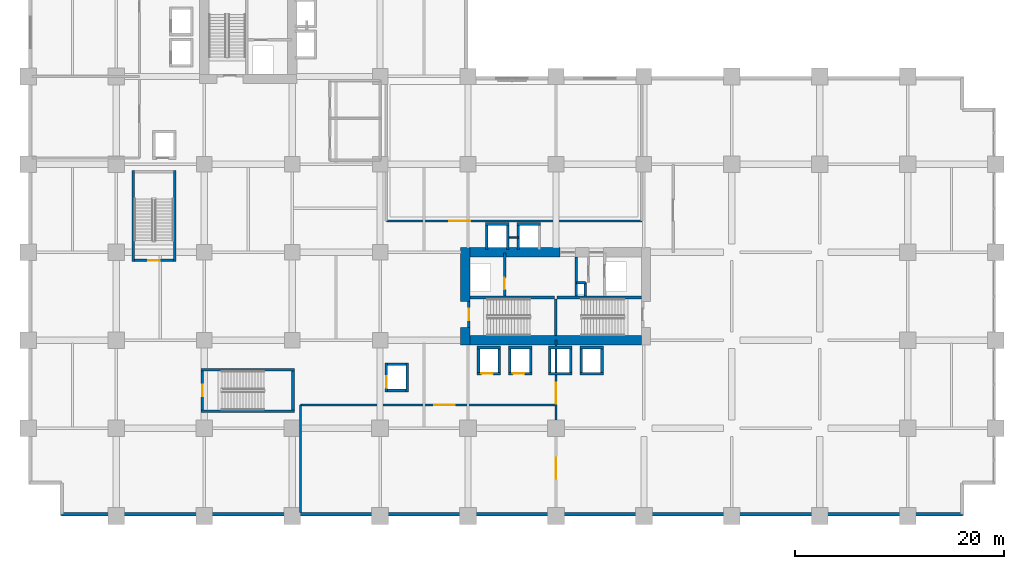
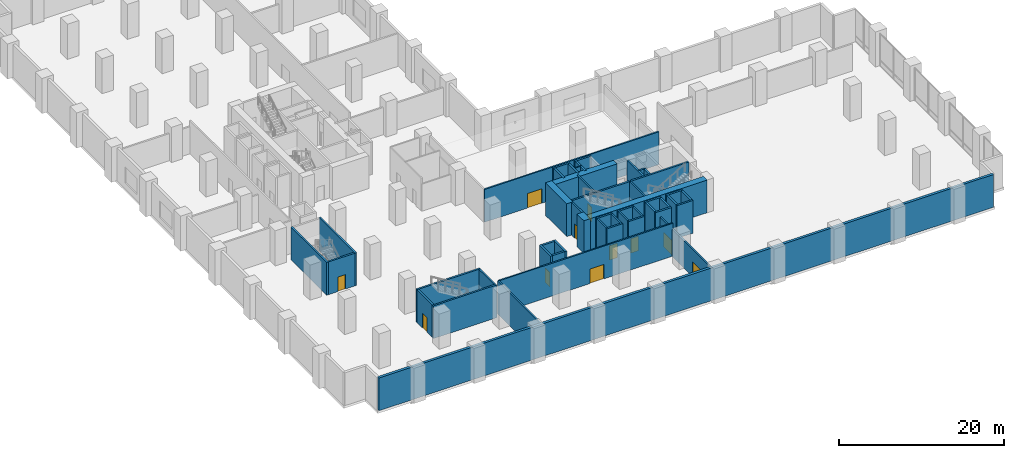
# One storey, part 9 of 19: 50 walls, 11 doors, 11 openings.
"""IFC4 building model written with IfcOpenShell, lengths in metres."""

from ifc_helpers import new_model, si_unit, direction, frame, frame_2d, origin, place, context, subcontext, project, spatial, rectangle, extrude, material, layer, layer_set, type_object, element, fill, save


model = new_model("IFC4")

# Units and contexts
model_context = context("Model", 3, precision=1e-05, world=origin(), true_north=direction((0.0, 1.0)))
body_context = subcontext(model_context, "Body", "Model", "MODEL_VIEW")
ifc_project = project(units=[si_unit("LENGTHUNIT", "METRE"), si_unit("AREAUNIT", "SQUARE_METRE"), si_unit("VOLUMEUNIT", "CUBIC_METRE"), si_unit("PLANEANGLEUNIT", "RADIAN"), si_unit("MASSUNIT", "GRAM", prefix="KILO")], contexts=[model_context])

# Site, building, storey
site_placement = place(None, origin())
site = spatial("IfcSite", under=ifc_project, at=site_placement, CompositionType="ELEMENT")
building_placement = place(site_placement, origin())
building = spatial("IfcBuilding", under=site, at=building_placement, Name="Koriwani Terraces Tower", CompositionType="ELEMENT")
storey_placement = place(building_placement, frame((0.0, 0.0, 15.60009765625)))
storey = spatial("IfcBuildingStorey", under=building, at=storey_placement, Name="L03", CompositionType="ELEMENT", Elevation=15.60009765625)

# Walls
ifc_material_1 = material(Name="Concrete C60/75", Category="concrete")
ifc_layer_1 = layer(ifc_material_1, 0.89990234375, Name="Concrete C60/75")
ifc_layer_set_1 = layer_set([ifc_layer_1], Name="Concrete C60/75")
wall_type_1 = type_object("IfcWallType", Name="WALL_CORE_RC_900", PredefinedType="SHEAR", material=ifc_layer_set_1)
wall_1_placement = place(storey_placement, frame((41.75, 16.35009765625, 0.0), z_axis=(0.0, 0.0, 1.0), x_axis=(0.0, 1.0, 0.0)))
element("IfcWall", 1, at=wall_1_placement, inside=storey, type_object=wall_type_1, Name="L03 East Split Core Shear Wall W1", PredefinedType="SHEAR", context=body_context, shape_type="SweptSolid", body=[
    extrude(rectangle(XDim=1.64990234375, YDim=0.89990234375, at=frame_2d((0.824951171875, 0.0))), origin(), (0.0, 0.0, 1.0), 4.849853515625),
])
wall_2_placement = place(storey_placement, frame((41.75, 20.5, 0.0), z_axis=(0.0, 0.0, 1.0), x_axis=(0.0, 1.0, 0.0)))
element("IfcWall", 2, at=wall_2_placement, inside=storey, type_object=wall_type_1, Name="L03 East Split Core Shear Wall W2", PredefinedType="SHEAR", context=body_context, shape_type="SweptSolid", body=[
    extrude(rectangle(XDim=5.14990234375, YDim=0.89990234375, at=frame_2d((2.574951171875, 0.0))), origin(), (0.0, 0.0, 1.0), 4.849853515625),
])
wall_3_placement = place(storey_placement, frame((42.199951171875, 16.800048828125, 0.0), z_axis=(0.0, 0.0, 1.0), x_axis=(1.0, 0.0, 0.0)))
element("IfcWall", 3, at=wall_3_placement, inside=storey, type_object=wall_type_1, Name="L03 East Split Core Shear Wall S1", PredefinedType="SHEAR", context=body_context, shape_type="SweptSolid", body=[
    extrude(rectangle(XDim=16.35009765625, YDim=0.89990234375, at=frame_2d((8.175048828125, 0.0))), origin(), (0.0, 0.0, 1.0), 4.849853515625),
])
wall_4_placement = place(storey_placement, frame((42.199951171875, 25.199951171875, 0.0), z_axis=(0.0, 0.0, 1.0), x_axis=(1.0, 0.0, 0.0)))
element("IfcWall", 4, at=wall_4_placement, inside=storey, type_object=wall_type_1, Name="L03 East Split Core Shear Wall N1", PredefinedType="SHEAR", context=body_context, shape_type="SweptSolid", body=[
    extrude(rectangle(XDim=8.60009765625, YDim=0.89990234375, at=frame_2d((4.300048828125, 0.0))), origin(), (0.0, 0.0, 1.0), 4.849853515625),
])

# Wall, opening, door
ifc_material_2 = material(Name="Autoclaved Cellular Concrete Blockwork", Category="masonry")
ifc_layer_2 = layer(ifc_material_2, 0.199951171875, Name="Autoclaved Cellular Concrete Blockwork")
ifc_layer_set_2 = layer_set([ifc_layer_2], Name="Autoclaved Cellular Concrete Blockwork")
wall_type_2 = type_object("IfcWallType", Name="WALL_CORRIDOR_200", PredefinedType="PARTITIONING", material=ifc_layer_set_2)
wall_5_placement = place(storey_placement, frame((26.0, 10.60009765625, 0.0), z_axis=(0.0, 0.0, 1.0), x_axis=(1.0, 0.0, 0.0)))
wall_5 = element("IfcWall", 5, at=wall_5_placement, inside=storey, type_object=wall_type_2, Name="L03 Interior Wall WL03-REC-N", PredefinedType="PARTITIONING", context=body_context, shape_type="SweptSolid", body=[
    extrude(rectangle(XDim=24.39990234375, YDim=0.199951171875, at=frame_2d((12.199951171875, 0.0))), origin(), (0.0, 0.0, 1.0), 4.849853515625),
])
opening_1_placement = place(wall_5_placement, frame((12.75, 0.0, 0.0)))
opening_1 = element("IfcOpeningElement", 6, at=opening_1_placement, cuts=wall_5, Name="Opening D-02", PredefinedType="OPENING", context=body_context, shape_type="SweptSolid", body=[
    extrude(rectangle(XDim=2.0, YDim=2.14990234375, at=frame_2d((1.0, 1.074951171875))), frame((0.0, 0.10986328125, 0.0), z_axis=(0.0, -1.0, 0.0), x_axis=(1.0, 0.0, 0.0)), (0.0, 0.0, 1.0), 0.219970703125),
])
ifc_material_3 = material(Name="Anodised Bronze Aluminium", Category="aluminium")
door_type_1 = type_object("IfcDoorType", Name="DOOR_ENTRANCE_DOUBLE_2000X2400", OperationType="NOTDEFINED", PredefinedType="DOOR", material=ifc_material_3)
door_1_placement = place(opening_1_placement, origin())
door_1 = element("IfcDoor", 7, at=door_1_placement, inside=storey, type_object=door_type_1, Name="Hotel Check-In Reception Door", OperationType="SINGLE_SWING_RIGHT", OverallHeight=2.14990234375, OverallWidth=2.0, PredefinedType="DOOR", context=body_context, shape_type="SweptSolid", body=[
    extrude(rectangle(XDim=2.0, YDim=2.14990234375, at=frame_2d((1.0, 1.074951171875))), frame((0.0, 0.02490234375, 0.0), z_axis=(0.0, -1.0, 0.0), x_axis=(1.0, 0.0, 0.0)), (0.0, 0.0, 1.0), 0.050048828125),
])
fill(opening_1, door_1)

wall_6_placement = place(storey_placement, frame((34.199951171875, 28.199951171875, 0.0), z_axis=(0.0, 0.0, 1.0), x_axis=(1.0, 0.0, 0.0)))
wall_6 = element("IfcWall", 8, at=wall_6_placement, inside=storey, type_object=wall_type_2, Name="L03 Interior Wall WL03-PREF-S", PredefinedType="PARTITIONING", context=body_context, shape_type="SweptSolid", body=[
    extrude(rectangle(XDim=24.400146484375, YDim=0.199951171875, at=frame_2d((12.2001953125, 0.0))), origin(), (0.0, 0.0, 1.0), 4.849853515625),
])
opening_2_placement = place(wall_6_placement, frame((6.0, 0.0, 0.0)))
opening_2 = element("IfcOpeningElement", 9, at=opening_2_placement, cuts=wall_6, Name="Opening D-02", PredefinedType="OPENING", context=body_context, shape_type="SweptSolid", body=[
    extrude(rectangle(XDim=2.0, YDim=2.14990234375, at=frame_2d((1.0, 1.074951171875))), frame((0.0, 0.10986328125, 0.0), z_axis=(0.0, -1.0, 0.0), x_axis=(1.0, 0.0, 0.0)), (0.0, 0.0, 1.0), 0.219970703125),
])
door_2_placement = place(opening_2_placement, origin())
door_2 = element("IfcDoor", 10, at=door_2_placement, inside=storey, type_object=door_type_1, Name="Ballroom VIP Pre-Function Salon Door", OperationType="SINGLE_SWING_LEFT", OverallHeight=2.14990234375, OverallWidth=2.0, PredefinedType="DOOR", context=body_context, shape_type="SweptSolid", body=[
    extrude(rectangle(XDim=2.0, YDim=2.14990234375, at=frame_2d((1.0, 1.074951171875))), frame((0.0, 0.02490234375, 0.0), z_axis=(0.0, -1.0, 0.0), x_axis=(1.0, 0.0, 0.0)), (0.0, 0.0, 1.0), 0.050048828125),
])
fill(opening_2, door_2)

# Wall, openings, doors
ifc_layer_3 = layer(ifc_material_2, 0.219970703125, Name="Autoclaved Cellular Concrete Blockwork")
ifc_layer_set_3 = layer_set([ifc_layer_3], Name="Autoclaved Cellular Concrete Blockwork")
wall_type_3 = type_object("IfcWallType", Name="WALL_DEMISING_220", PredefinedType="PARTITIONING", material=ifc_layer_set_3)
wall_7_placement = place(storey_placement, frame((50.39990234375, 0.35009765625, 0.0), z_axis=(0.0, 0.0, 1.0), x_axis=(0.0, 1.0, 0.0)))
wall_7 = element("IfcWall", 11, at=wall_7_placement, inside=storey, type_object=wall_type_3, Name="L03 Interior Wall WL03-BALL-W", PredefinedType="PARTITIONING", context=body_context, shape_type="SweptSolid", body=[
    extrude(rectangle(XDim=16.449951171875, YDim=0.219970703125, at=frame_2d((8.22509765625, 0.0))), origin(), (0.0, 0.0, 1.0), 4.0),
])
opening_3_placement = place(wall_7_placement, frame((3.199951171875, 0.0, 0.0)))
opening_3 = element("IfcOpeningElement", 12, at=opening_3_placement, cuts=wall_7, Name="Opening D-02", PredefinedType="OPENING", context=body_context, shape_type="SweptSolid", body=[
    extrude(rectangle(XDim=2.0, YDim=2.14990234375, at=frame_2d((1.0, 1.074951171875))), frame((0.0, 0.1201171875, 0.0), z_axis=(0.0, -1.0, 0.0), x_axis=(1.0, 0.0, 0.0)), (0.0, 0.0, 1.0), 0.239990234375),
])
opening_4_placement = place(wall_7_placement, frame((10.39990234375, 0.0, 0.0)))
opening_4 = element("IfcOpeningElement", 13, at=opening_4_placement, cuts=wall_7, Name="Opening D-02", PredefinedType="OPENING", context=body_context, shape_type="SweptSolid", body=[
    extrude(rectangle(XDim=2.0, YDim=2.14990234375, at=frame_2d((1.0, 1.074951171875))), frame((0.0, 0.1201171875, 0.0), z_axis=(0.0, -1.0, 0.0), x_axis=(1.0, 0.0, 0.0)), (0.0, 0.0, 1.0), 0.239990234375),
])
door_3_placement = place(opening_3_placement, origin())
door_3 = element("IfcDoor", 14, at=door_3_placement, inside=storey, type_object=door_type_1, Name="Grand Ballroom West Portal 1", OperationType="SINGLE_SWING_LEFT", OverallHeight=2.14990234375, OverallWidth=2.0, PredefinedType="DOOR", context=body_context, shape_type="SweptSolid", body=[
    extrude(rectangle(XDim=2.0, YDim=2.14990234375, at=frame_2d((1.0, 1.074951171875))), frame((0.0, 0.02490234375, 0.0), z_axis=(0.0, -1.0, 0.0), x_axis=(1.0, 0.0, 0.0)), (0.0, 0.0, 1.0), 0.050048828125),
])
fill(opening_3, door_3)
door_4_placement = place(opening_4_placement, origin())
door_4 = element("IfcDoor", 15, at=door_4_placement, inside=storey, type_object=door_type_1, Name="Grand Ballroom West Portal 2", OperationType="SINGLE_SWING_RIGHT", OverallHeight=2.14990234375, OverallWidth=2.0, PredefinedType="DOOR", context=body_context, shape_type="SweptSolid", body=[
    extrude(rectangle(XDim=2.0, YDim=2.14990234375, at=frame_2d((1.0, 1.074951171875))), frame((0.0, 0.02490234375, 0.0), z_axis=(0.0, -1.0, 0.0), x_axis=(1.0, 0.0, 0.0)), (0.0, 0.0, 1.0), 0.050048828125),
])
fill(opening_4, door_4)

# Walls
wall_8_placement = place(storey_placement, frame((26.0, 0.35009765625, 0.0), z_axis=(0.0, 0.0, 1.0), x_axis=(0.0, 1.0, 0.0)))
element("IfcWall", 16, at=wall_8_placement, inside=storey, type_object=wall_type_3, Name="L03 Interior Wall WL03-REC-W", PredefinedType="PARTITIONING", context=body_context, shape_type="SweptSolid", body=[
    extrude(rectangle(XDim=10.25, YDim=0.219970703125, at=frame_2d((5.125, 0.0))), origin(), (0.0, 0.0, 1.0), 4.849853515625),
])
ifc_material_4 = material(Name="Concrete C50/60", Category="concrete")
ifc_layer_4 = layer(ifc_material_4, 0.35009765625, Name="Concrete C50/60")
ifc_layer_set_4 = layer_set([ifc_layer_4], Name="Concrete C50/60")
wall_type_4 = type_object("IfcWallType", Name="WALL_EXT_BRUTALIST_350", PredefinedType="STANDARD", material=ifc_layer_set_4)
wall_9_placement = place(storey_placement, frame((89.22509765625, 0.175048828125, 0.0), z_axis=(0.0, 0.0, 1.0), x_axis=(-1.0, 0.0, 0.0)))
element("IfcWall", 17, at=wall_9_placement, inside=storey, type_object=wall_type_4, Name="L03 Fair-Faced Brutalist Exterior Wall (S)", PredefinedType="STANDARD", context=body_context, shape_type="SweptSolid", body=[
    extrude(rectangle(XDim=86.050048828125, YDim=0.35009765625, at=frame_2d((43.02490234375, 0.0))), origin(), (0.0, 0.0, 1.0), 4.849853515625),
])
ifc_material_5 = material(Name="Concrete C40/50", Category="concrete")
ifc_layer_5 = layer(ifc_material_5, 0.25, Name="Concrete C40/50")
ifc_layer_set_5 = layer_set([ifc_layer_5], Name="Concrete C40/50")
wall_type_5 = type_object("IfcWallType", Name="WALL_SHAFT_RATED_250", PredefinedType="SOLIDWALL", material=ifc_layer_set_5)
for number, where, z_axis, x_axis, name in (
    (18, (42.199951171875, 20.875, 0.0), (0.0, 0.0, 1.0), (1.0, 0.0, 0.0), "L03 East Split Core Web Wall MID1"),
    (19, (50.5, 20.875, 0.0), (0.0, 0.0, 1.0), (1.0, 0.0, 0.0), "L03 East Split Core Web Wall MID2"),
):
    element("IfcWall", number, at=place(storey_placement, frame(where, z_axis=z_axis, x_axis=x_axis)), inside=storey, type_object=wall_type_5, Name=name, PredefinedType="SOLIDWALL", context=body_context, shape_type="SweptSolid", body=[
        extrude(rectangle(XDim=8.050048828125, YDim=0.25, at=frame_2d((4.02490234375, 0.0))), origin(), (0.0, 0.0, 1.0), 4.849853515625),
    ])
wall_10_placement = place(storey_placement, frame((50.375, 17.25, 0.0), z_axis=(0.0, 0.0, 1.0), x_axis=(0.0, 1.0, 0.0)))
element("IfcWall", 20, at=wall_10_placement, inside=storey, type_object=wall_type_5, Name="L03 East Split Core Stair Dividing Wall", PredefinedType="SOLIDWALL", context=body_context, shape_type="SweptSolid", body=[
    extrude(rectangle(XDim=3.5, YDim=0.25, at=frame_2d((1.75, 0.0))), origin(), (0.0, 0.0, 1.0), 4.849853515625),
])
for number, where, z_axis, x_axis, name in (
    (21, (10.02490234375, 24.300048828125, 0.0), (0.0, 0.0, 1.0), (0.0, 1.0, 0.0), "L03 Podium Stair ST-P1 West Bearing Wall"),
    (22, (13.97509765625, 24.300048828125, 0.0), (0.0, 0.0, 1.0), (0.0, 1.0, 0.0), "L03 Podium Stair ST-P1 East Bearing Wall"),
):
    element("IfcWall", number, at=place(storey_placement, frame(where, z_axis=z_axis, x_axis=x_axis)), inside=storey, type_object=wall_type_5, Name=name, PredefinedType="SOLIDWALL", context=body_context, shape_type="SweptSolid", body=[
        extrude(rectangle(XDim=8.699951171875, YDim=0.25, at=frame_2d((4.35009765625, 0.0))), origin(), (0.0, 0.0, 1.0), 4.849853515625),
    ])
for number, where, z_axis, x_axis, name in (
    (23, (16.5, 10.02490234375, 0.0), (0.0, 0.0, 1.0), (1.0, 0.0, 0.0), "L03 Podium Stair ST-P2 South Bearing Wall"),
    (24, (16.5, 13.97509765625, 0.0), (0.0, 0.0, 1.0), (1.0, 0.0, 0.0), "L03 Podium Stair ST-P2 North Bearing Wall"),
):
    element("IfcWall", number, at=place(storey_placement, frame(where, z_axis=z_axis, x_axis=x_axis)), inside=storey, type_object=wall_type_5, Name=name, PredefinedType="SOLIDWALL", context=body_context, shape_type="SweptSolid", body=[
        extrude(rectangle(XDim=8.89990234375, YDim=0.25, at=frame_2d((4.449951171875, 0.0))), origin(), (0.0, 0.0, 1.0), 4.849853515625),
    ])
wall_11_placement = place(storey_placement, frame((25.27490234375, 10.14990234375, 0.0), z_axis=(0.0, 0.0, 1.0), x_axis=(0.0, 1.0, 0.0)))
element("IfcWall", 25, at=wall_11_placement, inside=storey, type_object=wall_type_5, Name="L03 Podium Stair ST-P2 East Bearing Wall", PredefinedType="SOLIDWALL", context=body_context, shape_type="SweptSolid", body=[
    extrude(rectangle(XDim=3.7001953125, YDim=0.25, at=frame_2d((1.85009765625, 0.0))), origin(), (0.0, 0.0, 1.0), 4.849853515625),
])

# Wall, opening, door
wall_12_placement = place(storey_placement, frame((42.074951171875, 18.0, 0.0), z_axis=(0.0, 0.0, 1.0), x_axis=(0.0, 1.0, 0.0)))
wall_12 = element("IfcWall", 26, at=wall_12_placement, inside=storey, type_object=wall_type_5, Name="L03 Interior Wall WIN-CE-L03-STW", PredefinedType="SOLIDWALL", context=body_context, shape_type="SweptSolid", body=[
    extrude(rectangle(XDim=2.5, YDim=0.25, at=frame_2d((1.25, 0.0))), origin(), (0.0, 0.0, 1.0), 4.849853515625),
])
opening_5_placement = place(wall_12_placement, frame((0.699951171875, 0.0, 0.0)))
opening_5 = element("IfcOpeningElement", 27, at=opening_5_placement, cuts=wall_12, Name="Opening D-03", PredefinedType="OPENING", context=body_context, shape_type="SweptSolid", body=[
    extrude(rectangle(XDim=1.10009765625, YDim=2.14990234375, at=frame_2d((0.550048828125, 1.074951171875))), frame((0.0, 0.135009765625, 0.0), z_axis=(0.0, -1.0, 0.0), x_axis=(1.0, 0.0, 0.0)), (0.0, 0.0, 1.0), 0.27001953125),
])
ifc_material_6 = material(Name="Steel ASTM A572 Grade 50", Category="steel")
door_type_2 = type_object("IfcDoorType", Name="DOOR_STAIR_FIRE_1100X2150", OperationType="NOTDEFINED", PredefinedType="DOOR", material=ifc_material_6)
door_5_placement = place(opening_5_placement, origin())
door_5 = element("IfcDoor", 28, at=door_5_placement, inside=storey, type_object=door_type_2, Name="L03 Exit Stair ST-E1 Door", OperationType="SINGLE_SWING_RIGHT", OverallHeight=2.14990234375, OverallWidth=1.10009765625, PredefinedType="DOOR", context=body_context, shape_type="SweptSolid", body=[
    extrude(rectangle(XDim=1.10009765625, YDim=2.14990234375, at=frame_2d((0.550048828125, 1.074951171875))), frame((0.0, 0.02490234375, 0.0), z_axis=(0.0, -1.0, 0.0), x_axis=(1.0, 0.0, 0.0)), (0.0, 0.0, 1.0), 0.050048828125),
])
fill(opening_5, door_5)

wall_13_placement = place(storey_placement, frame((45.5, 21.0, 0.0), z_axis=(0.0, 0.0, 1.0), x_axis=(0.0, 1.0, 0.0)))
wall_13 = element("IfcWall", 29, at=wall_13_placement, inside=storey, type_object=wall_type_5, Name="L03 Interior Wall WIN-CE-L03-FE", PredefinedType="SOLIDWALL", context=body_context, shape_type="SweptSolid", body=[
    extrude(rectangle(XDim=4.14990234375, YDim=0.25, at=frame_2d((2.074951171875, 0.0))), origin(), (0.0, 0.0, 1.0), 4.849853515625),
])
opening_6_placement = place(wall_13_placement, frame((0.64990234375, 0.0, 0.0)))
opening_6 = element("IfcOpeningElement", 30, at=opening_6_placement, cuts=wall_13, Name="Opening LD-01", PredefinedType="OPENING", context=body_context, shape_type="SweptSolid", body=[
    extrude(rectangle(XDim=1.10009765625, YDim=2.14990234375, at=frame_2d((0.550048828125, 1.074951171875))), frame((0.0, 0.135009765625, 0.0), z_axis=(0.0, -1.0, 0.0), x_axis=(1.0, 0.0, 0.0)), (0.0, 0.0, 1.0), 0.27001953125),
])
door_type_3 = type_object("IfcDoorType", Name="DOOR_LIFT_LANDING_1100X2200", OperationType="NOTDEFINED", PredefinedType="DOOR", material=ifc_material_6)
door_6_placement = place(opening_6_placement, origin())
door_6 = element("IfcDoor", 31, at=door_6_placement, inside=storey, type_object=door_type_3, Name="L03 Firefighting Lift FE-02 Landing Door", OperationType="SLIDING_TO_LEFT", OverallHeight=2.14990234375, OverallWidth=1.10009765625, PredefinedType="DOOR", context=body_context, shape_type="SweptSolid", body=[
    extrude(rectangle(XDim=1.10009765625, YDim=2.14990234375, at=frame_2d((0.550048828125, 1.074951171875))), frame((0.0, 0.02490234375, 0.0), z_axis=(0.0, -1.0, 0.0), x_axis=(1.0, 0.0, 0.0)), (0.0, 0.0, 1.0), 0.050048828125),
])
fill(opening_6, door_6)

# Walls
wall_14_placement = place(storey_placement, frame((52.340087890625, 21.0, 0.0), z_axis=(0.0, 0.0, 1.0), x_axis=(0.0, 1.0, 0.0)))
element("IfcWall", 32, at=wall_14_placement, inside=storey, type_object=wall_type_5, Name="L03 Interior Wall WIN-CE-L03-FFE", PredefinedType="SOLIDWALL", context=body_context, shape_type="SweptSolid", body=[
    extrude(rectangle(XDim=3.75, YDim=0.25, at=frame_2d((1.875, 0.0))), origin(), (0.0, 0.0, 1.0), 4.849853515625),
])
wall_15_placement = place(storey_placement, frame((53.199951171875, 21.0, 0.0), z_axis=(0.0, 0.0, 1.0), x_axis=(0.0, 1.0, 0.0)))
element("IfcWall", 33, at=wall_15_placement, inside=storey, type_object=wall_type_5, Name="L03 Interior Wall WIN-CE-L03-RS1", PredefinedType="SOLIDWALL", context=body_context, shape_type="SweptSolid", body=[
    extrude(rectangle(XDim=1.300048828125, YDim=0.25, at=frame_2d((0.64990234375, 0.0))), origin(), (0.0, 0.0, 1.0), 4.849853515625),
])
wall_16_placement = place(storey_placement, frame((52.360107421875, 22.300048828125, 0.0), z_axis=(0.0, 0.0, 1.0), x_axis=(1.0, 0.0, 0.0)))
element("IfcWall", 34, at=wall_16_placement, inside=storey, type_object=wall_type_5, Name="L03 Interior Wall WIN-CE-L03-RS2", PredefinedType="SOLIDWALL", context=body_context, shape_type="SweptSolid", body=[
    extrude(rectangle(XDim=0.83984375, YDim=0.25, at=frame_2d((0.419921875, 0.0))), origin(), (0.0, 0.0, 1.0), 4.849853515625),
])

# Wall, opening, door
wall_17_placement = place(storey_placement, frame((34.199951171875, 11.875, 0.0), z_axis=(0.0, 0.0, 1.0), x_axis=(0.0, 1.0, 0.0)))
wall_17 = element("IfcWall", 35, at=wall_17_placement, inside=storey, type_object=wall_type_5, Name="L03 Interior Wall WIN-LF-PE-P2-L03-F", PredefinedType="SOLIDWALL", context=body_context, shape_type="SweptSolid", body=[
    extrude(rectangle(XDim=2.75, YDim=0.25, at=frame_2d((1.375, 0.0))), origin(), (0.0, 0.0, 1.0), 4.849853515625),
])
opening_7_placement = place(wall_17_placement, frame((0.39990234375, 0.0, 0.0)))
opening_7 = element("IfcOpeningElement", 36, at=opening_7_placement, cuts=wall_17, Name="Opening LD-01", PredefinedType="OPENING", context=body_context, shape_type="SweptSolid", body=[
    extrude(rectangle(XDim=1.10009765625, YDim=2.14990234375, at=frame_2d((0.550048828125, 1.074951171875))), frame((0.0, 0.135009765625, 0.0), z_axis=(0.0, -1.0, 0.0), x_axis=(1.0, 0.0, 0.0)), (0.0, 0.0, 1.0), 0.27001953125),
])
door_7_placement = place(opening_7_placement, origin())
door_7 = element("IfcDoor", 37, at=door_7_placement, inside=storey, type_object=door_type_3, Name="L03 Passenger Lift PE-P2 Landing Door", OperationType="SLIDING_TO_LEFT", OverallHeight=2.14990234375, OverallWidth=1.10009765625, PredefinedType="DOOR", context=body_context, shape_type="SweptSolid", body=[
    extrude(rectangle(XDim=1.10009765625, YDim=2.14990234375, at=frame_2d((0.550048828125, 1.074951171875))), frame((0.0, 0.02490234375, 0.0), z_axis=(0.0, -1.0, 0.0), x_axis=(1.0, 0.0, 0.0)), (0.0, 0.0, 1.0), 0.050048828125),
])
fill(opening_7, door_7)

# Walls
wall_18_placement = place(storey_placement, frame((36.199951171875, 11.875, 0.0), z_axis=(0.0, 0.0, 1.0), x_axis=(0.0, 1.0, 0.0)))
element("IfcWall", 38, at=wall_18_placement, inside=storey, type_object=wall_type_5, Name="L03 Interior Wall WIN-LF-PE-P2-L03-B", PredefinedType="SOLIDWALL", context=body_context, shape_type="SweptSolid", body=[
    extrude(rectangle(XDim=2.75, YDim=0.25, at=frame_2d((1.375, 0.0))), origin(), (0.0, 0.0, 1.0), 4.849853515625),
])
for number, where, z_axis, x_axis, name in (
    (39, (34.324951171875, 12.0, 0.0), (0.0, 0.0, 1.0), (1.0, 0.0, 0.0), "L03 Interior Wall WIN-LF-PE-P2-L03-S"),
    (40, (34.324951171875, 14.5, 0.0), (0.0, 0.0, 1.0), (1.0, 0.0, 0.0), "L03 Interior Wall WIN-LF-PE-P2-L03-N"),
):
    element("IfcWall", number, at=place(storey_placement, frame(where, z_axis=z_axis, x_axis=x_axis)), inside=storey, type_object=wall_type_5, Name=name, PredefinedType="SOLIDWALL", context=body_context, shape_type="SweptSolid", body=[
        extrude(rectangle(XDim=1.75, YDim=0.25, at=frame_2d((0.875, 0.0))), origin(), (0.0, 0.0, 1.0), 4.849853515625),
    ])

# Wall, opening, door
wall_19_placement = place(storey_placement, frame((42.875, 13.60009765625, 0.0), z_axis=(0.0, 0.0, 1.0), x_axis=(1.0, 0.0, 0.0)))
wall_19 = element("IfcWall", 41, at=wall_19_placement, inside=storey, type_object=wall_type_5, Name="L03 Interior Wall WIN-LF-PE-L3-L03-F", PredefinedType="SOLIDWALL", context=body_context, shape_type="SweptSolid", body=[
    extrude(rectangle(XDim=2.25, YDim=0.25, at=frame_2d((1.125, 0.0))), origin(), (0.0, 0.0, 1.0), 4.849853515625),
])
opening_8_placement = place(wall_19_placement, frame((0.39990234375, 0.0, 0.0)))
opening_8 = element("IfcOpeningElement", 42, at=opening_8_placement, cuts=wall_19, Name="Opening LD-01", PredefinedType="OPENING", context=body_context, shape_type="SweptSolid", body=[
    extrude(rectangle(XDim=1.10009765625, YDim=2.14990234375, at=frame_2d((0.550048828125, 1.074951171875))), frame((0.0, 0.135009765625, 0.0), z_axis=(0.0, -1.0, 0.0), x_axis=(1.0, 0.0, 0.0)), (0.0, 0.0, 1.0), 0.27001953125),
])
door_8_placement = place(opening_8_placement, origin())
door_8 = element("IfcDoor", 43, at=door_8_placement, inside=storey, type_object=door_type_3, Name="L03 Passenger Lift PE-L3 Landing Door", OperationType="SLIDING_TO_LEFT", OverallHeight=2.14990234375, OverallWidth=1.10009765625, PredefinedType="DOOR", context=body_context, shape_type="SweptSolid", body=[
    extrude(rectangle(XDim=1.10009765625, YDim=2.14990234375, at=frame_2d((0.550048828125, 1.074951171875))), frame((0.0, 0.02490234375, 0.0), z_axis=(0.0, -1.0, 0.0), x_axis=(1.0, 0.0, 0.0)), (0.0, 0.0, 1.0), 0.050048828125),
])
fill(opening_8, door_8)

# Walls
for number, where, z_axis, x_axis, name in (
    (44, (42.875, 16.10009765625, 0.0), (0.0, 0.0, 1.0), (1.0, 0.0, 0.0), "L03 Interior Wall WIN-LF-PE-L3-L03-B"),
    (45, (43.0, 13.72509765625, 0.0), (0.0, 0.0, 1.0), (0.0, 1.0, 0.0), "L03 Interior Wall WIN-LF-PE-L3-L03-W"),
    (46, (45.0, 13.72509765625, 0.0), (0.0, 0.0, 1.0), (0.0, 1.0, 0.0), "L03 Interior Wall WIN-LF-PE-L3-L03-E"),
):
    element("IfcWall", number, at=place(storey_placement, frame(where, z_axis=z_axis, x_axis=x_axis)), inside=storey, type_object=wall_type_5, Name=name, PredefinedType="SOLIDWALL", context=body_context, shape_type="SweptSolid", body=[
        extrude(rectangle(XDim=2.25, YDim=0.25, at=frame_2d((1.125, 0.0))), origin(), (0.0, 0.0, 1.0), 4.849853515625),
    ])

# Wall, opening, door
wall_20_placement = place(storey_placement, frame((45.875, 13.60009765625, 0.0), z_axis=(0.0, 0.0, 1.0), x_axis=(1.0, 0.0, 0.0)))
wall_20 = element("IfcWall", 47, at=wall_20_placement, inside=storey, type_object=wall_type_5, Name="L03 Interior Wall WIN-LF-PE-L4-L03-F", PredefinedType="SOLIDWALL", context=body_context, shape_type="SweptSolid", body=[
    extrude(rectangle(XDim=2.25, YDim=0.25, at=frame_2d((1.125, 0.0))), origin(), (0.0, 0.0, 1.0), 4.849853515625),
])
opening_9_placement = place(wall_20_placement, frame((0.39990234375, 0.0, 0.0)))
opening_9 = element("IfcOpeningElement", 48, at=opening_9_placement, cuts=wall_20, Name="Opening LD-01", PredefinedType="OPENING", context=body_context, shape_type="SweptSolid", body=[
    extrude(rectangle(XDim=1.10009765625, YDim=2.14990234375, at=frame_2d((0.550048828125, 1.074951171875))), frame((0.0, 0.135009765625, 0.0), z_axis=(0.0, -1.0, 0.0), x_axis=(1.0, 0.0, 0.0)), (0.0, 0.0, 1.0), 0.27001953125),
])
door_9_placement = place(opening_9_placement, origin())
door_9 = element("IfcDoor", 49, at=door_9_placement, inside=storey, type_object=door_type_3, Name="L03 Passenger Lift PE-L4 Landing Door", OperationType="SLIDING_TO_LEFT", OverallHeight=2.14990234375, OverallWidth=1.10009765625, PredefinedType="DOOR", context=body_context, shape_type="SweptSolid", body=[
    extrude(rectangle(XDim=1.10009765625, YDim=2.14990234375, at=frame_2d((0.550048828125, 1.074951171875))), frame((0.0, 0.02490234375, 0.0), z_axis=(0.0, -1.0, 0.0), x_axis=(1.0, 0.0, 0.0)), (0.0, 0.0, 1.0), 0.050048828125),
])
fill(opening_9, door_9)

# Walls
for number, where, z_axis, x_axis, name in (
    (50, (45.875, 16.10009765625, 0.0), (0.0, 0.0, 1.0), (1.0, 0.0, 0.0), "L03 Interior Wall WIN-LF-PE-L4-L03-B"),
    (51, (46.0, 13.72509765625, 0.0), (0.0, 0.0, 1.0), (0.0, 1.0, 0.0), "L03 Interior Wall WIN-LF-PE-L4-L03-W"),
    (52, (48.0, 13.72509765625, 0.0), (0.0, 0.0, 1.0), (0.0, 1.0, 0.0), "L03 Interior Wall WIN-LF-PE-L4-L03-E"),
    (53, (49.675048828125, 13.60009765625, 0.0), (0.0, 0.0, 1.0), (1.0, 0.0, 0.0), "L03 Interior Wall WIN-LF-PE-M3-L03-F"),
    (54, (49.675048828125, 16.10009765625, 0.0), (0.0, 0.0, 1.0), (1.0, 0.0, 0.0), "L03 Interior Wall WIN-LF-PE-M3-L03-B"),
    (55, (49.800048828125, 13.72509765625, 0.0), (0.0, 0.0, 1.0), (0.0, 1.0, 0.0), "L03 Interior Wall WIN-LF-PE-M3-L03-W"),
    (56, (51.800048828125, 13.72509765625, 0.0), (0.0, 0.0, 1.0), (0.0, 1.0, 0.0), "L03 Interior Wall WIN-LF-PE-M3-L03-E"),
    (57, (52.675048828125, 13.60009765625, 0.0), (0.0, 0.0, 1.0), (1.0, 0.0, 0.0), "L03 Interior Wall WIN-LF-PE-M4-L03-F"),
    (58, (52.675048828125, 16.10009765625, 0.0), (0.0, 0.0, 1.0), (1.0, 0.0, 0.0), "L03 Interior Wall WIN-LF-PE-M4-L03-B"),
    (59, (52.800048828125, 13.72509765625, 0.0), (0.0, 0.0, 1.0), (0.0, 1.0, 0.0), "L03 Interior Wall WIN-LF-PE-M4-L03-W"),
    (60, (54.800048828125, 13.72509765625, 0.0), (0.0, 0.0, 1.0), (0.0, 1.0, 0.0), "L03 Interior Wall WIN-LF-PE-M4-L03-E"),
    (61, (43.675048828125, 27.89990234375, 0.0), (0.0, 0.0, 1.0), (1.0, 0.0, 0.0), "L03 Interior Wall WIN-LF-PE-H3-L03-F"),
):
    element("IfcWall", number, at=place(storey_placement, frame(where, z_axis=z_axis, x_axis=x_axis)), inside=storey, type_object=wall_type_5, Name=name, PredefinedType="SOLIDWALL", context=body_context, shape_type="SweptSolid", body=[
        extrude(rectangle(XDim=2.25, YDim=0.25, at=frame_2d((1.125, 0.0))), origin(), (0.0, 0.0, 1.0), 4.849853515625),
    ])
for number, where, z_axis, x_axis, name in (
    (62, (43.800048828125, 25.449951171875, 0.0), (0.0, 0.0, 1.0), (0.0, 1.0, 0.0), "L03 Interior Wall WIN-LF-PE-H3-L03-W"),
    (63, (45.800048828125, 25.449951171875, 0.0), (0.0, 0.0, 1.0), (0.0, 1.0, 0.0), "L03 Interior Wall WIN-LF-PE-H3-L03-E"),
):
    element("IfcWall", number, at=place(storey_placement, frame(where, z_axis=z_axis, x_axis=x_axis)), inside=storey, type_object=wall_type_5, Name=name, PredefinedType="SOLIDWALL", context=body_context, shape_type="SweptSolid", body=[
        extrude(rectangle(XDim=2.324951171875, YDim=0.25, at=frame_2d((1.16259765625, 0.0))), origin(), (0.0, 0.0, 1.0), 4.849853515625),
    ])
wall_21_placement = place(storey_placement, frame((46.675048828125, 27.89990234375, 0.0), z_axis=(0.0, 0.0, 1.0), x_axis=(1.0, 0.0, 0.0)))
element("IfcWall", 64, at=wall_21_placement, inside=storey, type_object=wall_type_5, Name="L03 Interior Wall WIN-LF-PE-H4-L03-F", PredefinedType="SOLIDWALL", context=body_context, shape_type="SweptSolid", body=[
    extrude(rectangle(XDim=2.25, YDim=0.25, at=frame_2d((1.125, 0.0))), origin(), (0.0, 0.0, 1.0), 4.849853515625),
])
wall_22_placement = place(storey_placement, frame((46.800048828125, 25.449951171875, 0.0), z_axis=(0.0, 0.0, 1.0), x_axis=(0.0, 1.0, 0.0)))
element("IfcWall", 65, at=wall_22_placement, inside=storey, type_object=wall_type_5, Name="L03 Interior Wall WIN-LF-PE-H4-L03-W", PredefinedType="SOLIDWALL", context=body_context, shape_type="SweptSolid", body=[
    extrude(rectangle(XDim=2.324951171875, YDim=0.25, at=frame_2d((1.16259765625, 0.0))), origin(), (0.0, 0.0, 1.0), 4.849853515625),
])

# Wall, opening, door
wall_23_placement = place(storey_placement, frame((10.14990234375, 24.425048828125, 0.0), z_axis=(0.0, 0.0, 1.0), x_axis=(1.0, 0.0, 0.0)))
wall_23 = element("IfcWall", 66, at=wall_23_placement, inside=storey, type_object=wall_type_5, Name="L03 Interior Wall WIN-STP1-L03-S", PredefinedType="SOLIDWALL", context=body_context, shape_type="SweptSolid", body=[
    extrude(rectangle(XDim=3.7001953125, YDim=0.25, at=frame_2d((1.85009765625, 0.0))), origin(), (0.0, 0.0, 1.0), 4.849853515625),
])
opening_10_placement = place(wall_23_placement, frame((1.300048828125, 0.0, 0.0)))
opening_10 = element("IfcOpeningElement", 67, at=opening_10_placement, cuts=wall_23, Name="Opening D-03", PredefinedType="OPENING", context=body_context, shape_type="SweptSolid", body=[
    extrude(rectangle(XDim=1.10009765625, YDim=2.14990234375, at=frame_2d((0.550048828125, 1.074951171875))), frame((0.0, 0.135009765625, 0.0), z_axis=(0.0, -1.0, 0.0), x_axis=(1.0, 0.0, 0.0)), (0.0, 0.0, 1.0), 0.27001953125),
])
door_10_placement = place(opening_10_placement, origin())
door_10 = element("IfcDoor", 68, at=door_10_placement, inside=storey, type_object=door_type_2, Name="L03 Podium Exit Stair ST-P1 Door", OperationType="SINGLE_SWING_LEFT", OverallHeight=2.14990234375, OverallWidth=1.10009765625, PredefinedType="DOOR", context=body_context, shape_type="SweptSolid", body=[
    extrude(rectangle(XDim=1.10009765625, YDim=2.14990234375, at=frame_2d((0.550048828125, 1.074951171875))), frame((0.0, 0.02490234375, 0.0), z_axis=(0.0, -1.0, 0.0), x_axis=(1.0, 0.0, 0.0)), (0.0, 0.0, 1.0), 0.050048828125),
])
fill(opening_10, door_10)

wall_24_placement = place(storey_placement, frame((16.625, 10.14990234375, 0.0), z_axis=(0.0, 0.0, 1.0), x_axis=(0.0, 1.0, 0.0)))
wall_24 = element("IfcWall", 69, at=wall_24_placement, inside=storey, type_object=wall_type_5, Name="L03 Interior Wall WIN-STP2-L03-W", PredefinedType="SOLIDWALL", context=body_context, shape_type="SweptSolid", body=[
    extrude(rectangle(XDim=3.7001953125, YDim=0.25, at=frame_2d((1.85009765625, 0.0))), origin(), (0.0, 0.0, 1.0), 4.849853515625),
])
opening_11_placement = place(wall_24_placement, frame((1.300048828125, 0.0, 0.0)))
opening_11 = element("IfcOpeningElement", 70, at=opening_11_placement, cuts=wall_24, Name="Opening D-03", PredefinedType="OPENING", context=body_context, shape_type="SweptSolid", body=[
    extrude(rectangle(XDim=1.10009765625, YDim=2.14990234375, at=frame_2d((0.550048828125, 1.074951171875))), frame((0.0, 0.135009765625, 0.0), z_axis=(0.0, -1.0, 0.0), x_axis=(1.0, 0.0, 0.0)), (0.0, 0.0, 1.0), 0.27001953125),
])
door_11_placement = place(opening_11_placement, origin())
door_11 = element("IfcDoor", 71, at=door_11_placement, inside=storey, type_object=door_type_2, Name="L03 Podium Exit Stair ST-P2 Door", OperationType="SINGLE_SWING_RIGHT", OverallHeight=2.14990234375, OverallWidth=1.10009765625, PredefinedType="DOOR", context=body_context, shape_type="SweptSolid", body=[
    extrude(rectangle(XDim=1.10009765625, YDim=2.14990234375, at=frame_2d((0.550048828125, 1.074951171875))), frame((0.0, 0.02490234375, 0.0), z_axis=(0.0, -1.0, 0.0), x_axis=(1.0, 0.0, 0.0)), (0.0, 0.0, 1.0), 0.050048828125),
])
fill(opening_11, door_11)

# Wall
ifc_material_7 = material(Name="Fire-Rated Acoustic Gypsum Partition", Category="masonry")
ifc_layer_6 = layer(ifc_material_7, 0.159912109375, Name="Fire-Rated Acoustic Gypsum Partition")
ifc_layer_set_6 = layer_set([ifc_layer_6], Name="Fire-Rated Acoustic Gypsum Partition")
wall_type_6 = type_object("IfcWallType", Name="WALL_SUITE_160", PredefinedType="PARTITIONING", material=ifc_layer_set_6)
wall_25_placement = place(storey_placement, frame((45.9599609375, 26.60009765625, 0.0), z_axis=(0.0, 0.0, 1.0), x_axis=(1.0, 0.0, 0.0)))
element("IfcWall", 72, at=wall_25_placement, inside=storey, type_object=wall_type_6, Name="L03 Interior Wall WIN-LF-PEH34-MID-L03", PredefinedType="PARTITIONING", context=body_context, shape_type="SweptSolid", body=[
    extrude(rectangle(XDim=0.880126953125, YDim=0.159912109375, at=frame_2d((0.43994140625, 0.0))), origin(), (0.0, 0.0, 1.0), 4.849853515625),
])

save(model, "model.ifc")
